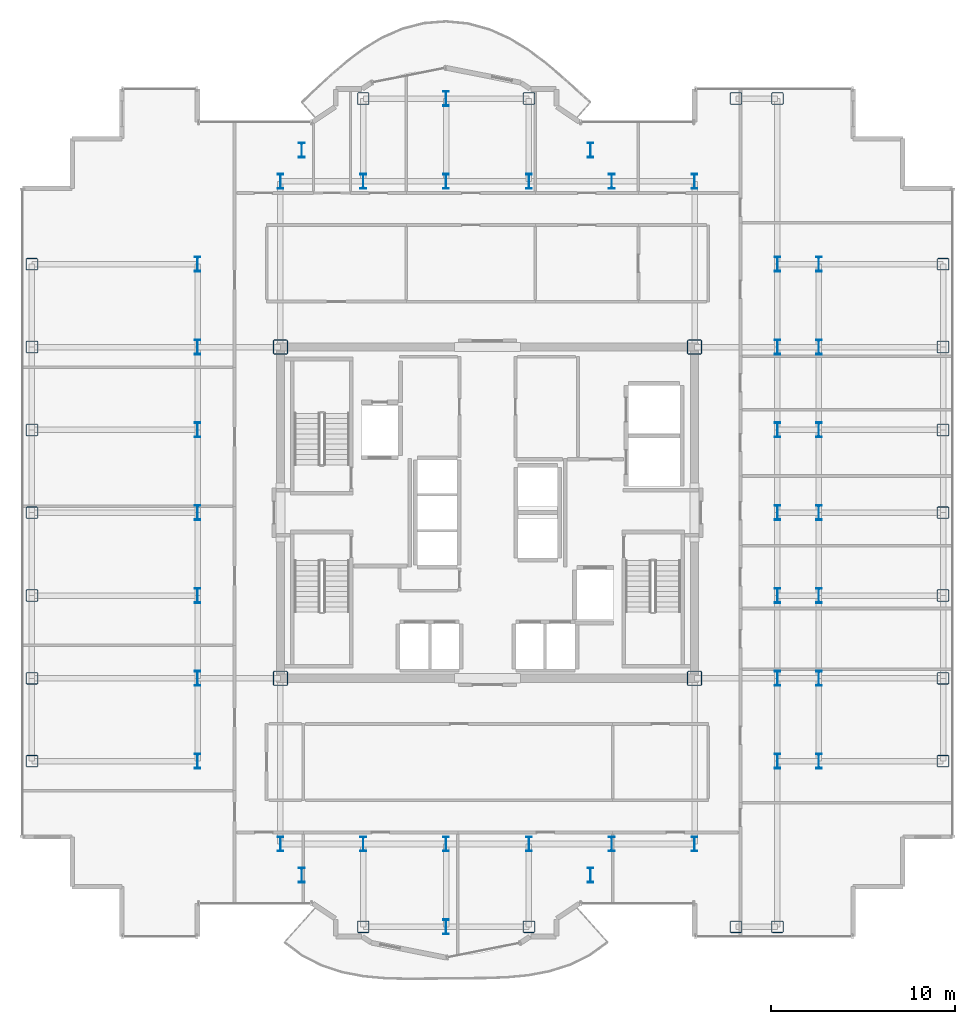
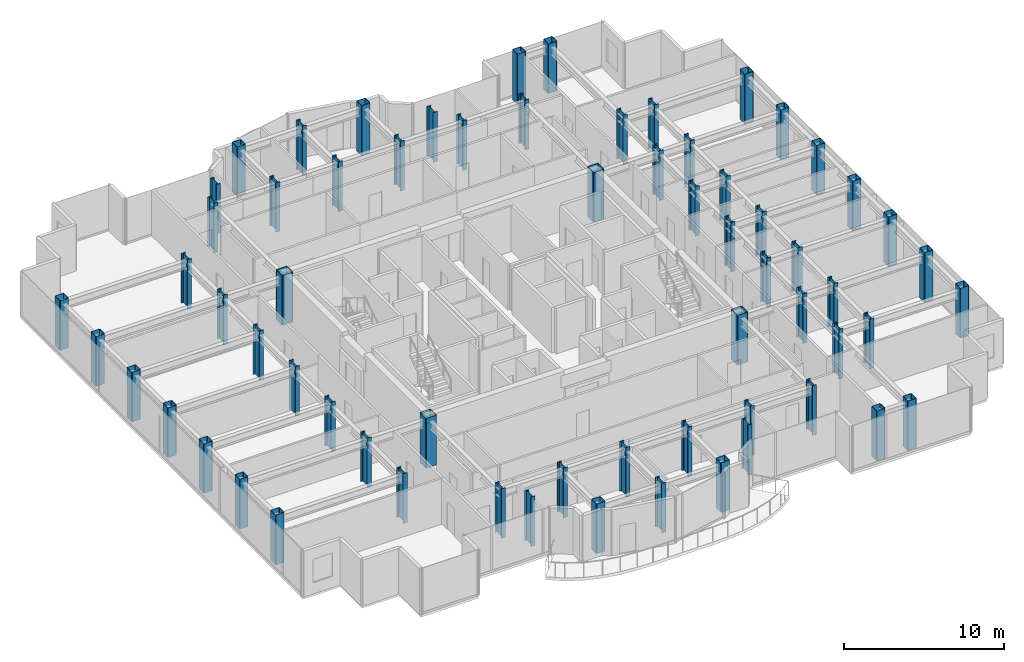
# One storey, part 1 of 21: 65 columns.
"""IFC4 building model written with IfcOpenShell, lengths in metres."""

from ifc_helpers import new_model, si_unit, direction, frame, origin, origin_2d, place, context, subcontext, project, spatial, hollow_rectangle, i_section, extrude, source, transform, mapped, material, material_profile, profile_set, type_object, element, save


model = new_model("IFC4")

# Units and contexts
model_context = context("Model", 3, precision=1e-05, world=origin(), true_north=direction((0.0, 1.0)))
body_context = subcontext(model_context, "Body", "Model", "MODEL_VIEW")
ifc_project = project(units=[si_unit("LENGTHUNIT", "METRE"), si_unit("AREAUNIT", "SQUARE_METRE"), si_unit("VOLUMEUNIT", "CUBIC_METRE"), si_unit("PLANEANGLEUNIT", "RADIAN"), si_unit("MASSUNIT", "GRAM", prefix="KILO")], contexts=[model_context])

# Site, building, storey
site_placement = place(None, origin())
site = spatial("IfcSite", under=ifc_project, at=site_placement, CompositionType="ELEMENT")
building_placement = place(site_placement, origin())
building = spatial("IfcBuilding", under=site, at=building_placement, Name="Nefas-Gora Pilgrimage Tower", CompositionType="ELEMENT")
storey_placement = place(building_placement, frame((0.0, 0.0, 256.0)))
storey = spatial("IfcBuildingStorey", under=building, at=storey_placement, Name="L64", CompositionType="ELEMENT", Elevation=256.0)

# Columns
ifc_material = material(Name="Steel S460", Category="steel")
ifc_material_profile_1 = material_profile(ifc_material, i_section(OverallWidth=0.302978515625, OverallDepth=0.81396484375, WebThickness=0.02099609375, FlangeThickness=0.0400390625, FilletRadius=0.030029296875, at=origin_2d()), Name="HEM 800")
ifc_profile_set_1 = profile_set([ifc_material_profile_1], Name="Steel S460")
column_type_1 = type_object("IfcColumnType", Name="COL-WEB-HEM800", PredefinedType="COLUMN", material=ifc_profile_set_1)
shared_shape_1 = source(origin(), body_context, "Body", "SweptSolid", [
    extrude(i_section(OverallWidth=0.302978515625, OverallDepth=0.81396484375, WebThickness=0.02099609375, FlangeThickness=0.0400390625, FilletRadius=0.030029296875, at=origin_2d()), origin(), (0.0, 0.0, 1.0), 3.800048828125),
])
for number, where, z_axis, x_axis, name in (
    (1, (-15.75, -13.5, 0.0), (0.0, 0.0, 1.0), (1.0, 0.0, 0.0), "L64 Tower Column CW-02.8"),
    (2, (-15.75, -9.0, 0.0), (0.0, 0.0, 1.0), (1.0, 0.0, 0.0), "L64 Tower Column CW-02.9"),
    (3, (-15.75, -4.5, 0.0), (0.0, 0.0, 1.0), (1.0, 0.0, 0.0), "L64 Tower Column CW-02.10"),
    (4, (-15.75, 0.0, 0.0), (0.0, 0.0, 1.0), (1.0, 0.0, 0.0), "L64 Tower Column CW-02.11"),
    (5, (-15.75, 4.5, 0.0), (0.0, 0.0, 1.0), (1.0, 0.0, 0.0), "L64 Tower Column CW-02.12"),
    (6, (-15.75, 9.0, 0.0), (0.0, 0.0, 1.0), (1.0, 0.0, 0.0), "L64 Tower Column CW-02.13"),
    (7, (-15.75, 13.5, 0.0), (0.0, 0.0, 1.0), (1.0, 0.0, 0.0), "L64 Tower Column CW-02.14"),
    (8, (-11.25, -18.0, 0.0), (0.0, 0.0, 1.0), (1.0, 0.0, 0.0), "L64 Tower Column CW-02.15"),
    (9, (-11.25, 18.0, 0.0), (0.0, 0.0, 1.0), (1.0, 0.0, 0.0), "L64 Tower Column CW-02.18"),
    (10, (-10.091064453125, -19.696044921875, 0.0), (0.0, 0.0, 1.0), (1.0, 0.0, 0.0), "L64 Tower Column CW-02.19"),
    (11, (-10.091064453125, 19.696044921875, 0.0), (0.0, 0.0, 1.0), (1.0, 0.0, 0.0), "L64 Tower Column CW-02.20"),
    (12, (-6.75, -18.0, 0.0), (0.0, 0.0, 1.0), (1.0, 0.0, 0.0), "L64 Tower Column CW-02.22"),
    (13, (-6.75, 18.0, 0.0), (0.0, 0.0, 1.0), (1.0, 0.0, 0.0), "L64 Tower Column CW-02.23"),
    (14, (-2.25, -22.5, 0.0), (0.0, 0.0, 1.0), (1.0, 0.0, 0.0), "L64 Tower Column CW-02.25"),
    (15, (-2.25, -18.0, 0.0), (0.0, 0.0, 1.0), (1.0, 0.0, 0.0), "L64 Tower Column CW-02.26"),
    (16, (-2.25, 18.0, 0.0), (0.0, 0.0, 1.0), (1.0, 0.0, 0.0), "L64 Tower Column CW-02.27"),
    (17, (-2.25, 22.5, 0.0), (0.0, 0.0, 1.0), (1.0, 0.0, 0.0), "L64 Tower Column CW-02.28"),
    (18, (2.25, -18.0, 0.0), (0.0, 0.0, 1.0), (1.0, 0.0, 0.0), "L64 Tower Column CW-02.30"),
    (19, (2.25, 18.0, 0.0), (0.0, 0.0, 1.0), (1.0, 0.0, 0.0), "L64 Tower Column CW-02.31"),
    (20, (5.591064453125, -19.696044921875, 0.0), (0.0, 0.0, 1.0), (1.0, 0.0, 0.0), "L64 Tower Column CW-02.33"),
    (21, (5.591064453125, 19.696044921875, 0.0), (0.0, 0.0, 1.0), (1.0, 0.0, 0.0), "L64 Tower Column CW-02.34"),
    (22, (6.75, -18.0, 0.0), (0.0, 0.0, 1.0), (1.0, 0.0, 0.0), "L64 Tower Column CW-02.35"),
    (23, (6.75, 18.0, 0.0), (0.0, 0.0, 1.0), (1.0, 0.0, 0.0), "L64 Tower Column CW-02.36"),
    (24, (11.25, -18.0, 0.0), (0.0, 0.0, 1.0), (1.0, 0.0, 0.0), "L64 Tower Column CW-02.37"),
    (25, (11.25, 18.0, 0.0), (0.0, 0.0, 1.0), (1.0, 0.0, 0.0), "L64 Tower Column CW-02.40"),
    (26, (15.75, -13.5, 0.0), (0.0, 0.0, 1.0), (1.0, 0.0, 0.0), "L64 Tower Column CW-02.44"),
    (27, (15.75, -9.0, 0.0), (0.0, 0.0, 1.0), (1.0, 0.0, 0.0), "L64 Tower Column CW-02.45"),
    (28, (15.75, -4.5, 0.0), (0.0, 0.0, 1.0), (1.0, 0.0, 0.0), "L64 Tower Column CW-02.46"),
    (29, (15.75, 0.0, 0.0), (0.0, 0.0, 1.0), (1.0, 0.0, 0.0), "L64 Tower Column CW-02.47"),
    (30, (15.75, 4.5, 0.0), (0.0, 0.0, 1.0), (1.0, 0.0, 0.0), "L64 Tower Column CW-02.48"),
    (31, (15.75, 9.0, 0.0), (0.0, 0.0, 1.0), (1.0, 0.0, 0.0), "L64 Tower Column CW-02.49"),
    (32, (15.75, 13.5, 0.0), (0.0, 0.0, 1.0), (1.0, 0.0, 0.0), "L64 Tower Column CW-02.50"),
    (33, (18.0, -13.5, 0.0), (0.0, 0.0, 1.0), (1.0, 0.0, 0.0), "L64 Tower Column CW-02.52"),
    (34, (18.0, -9.0, 0.0), (0.0, 0.0, 1.0), (1.0, 0.0, 0.0), "L64 Tower Column CW-02.53"),
    (35, (18.0, -4.5, 0.0), (0.0, 0.0, 1.0), (1.0, 0.0, 0.0), "L64 Tower Column CW-02.54"),
    (36, (18.0, 0.0, 0.0), (0.0, 0.0, 1.0), (1.0, 0.0, 0.0), "L64 Tower Column CW-02.55"),
    (37, (18.0, 4.5, 0.0), (0.0, 0.0, 1.0), (1.0, 0.0, 0.0), "L64 Tower Column CW-02.56"),
    (38, (18.0, 9.0, 0.0), (0.0, 0.0, 1.0), (1.0, 0.0, 0.0), "L64 Tower Column CW-02.57"),
    (39, (18.0, 13.5, 0.0), (0.0, 0.0, 1.0), (1.0, 0.0, 0.0), "L64 Tower Column CW-02.58"),
):
    element("IfcColumn", number, at=place(storey_placement, frame(where, z_axis=z_axis, x_axis=x_axis)), inside=storey, type_object=column_type_1, Name=name, PredefinedType="COLUMN", context=body_context, shape_type="MappedRepresentation", body=[
        mapped(shared_shape_1, transform((0.0, 0.0, 0.0), x_axis=(1.0, 0.0, 0.0), y_axis=(0.0, 1.0, 0.0), z_axis=(0.0, 0.0, 1.0), scale=1.0)),
    ])
ifc_material_profile_2 = material_profile(ifc_material, hollow_rectangle(XDim=0.800048828125, YDim=0.800048828125, WallThickness=0.0400390625, InnerFilletRadius=0.0400390625, OuterFilletRadius=0.080078125, at=origin_2d()), Name="BOX 800x800x40")
ifc_profile_set_2 = profile_set([ifc_material_profile_2], Name="Steel S460")
column_type_2 = type_object("IfcColumnType", Name="COL-CORE-800", PredefinedType="COLUMN", material=ifc_profile_set_2)
shared_shape_2 = source(origin(), body_context, "Body", "SweptSolid", [
    extrude(hollow_rectangle(XDim=0.800048828125, YDim=0.800048828125, WallThickness=0.0400390625, InnerFilletRadius=0.0400390625, OuterFilletRadius=0.080078125, at=origin_2d()), origin(), (0.0, 0.0, 1.0), 3.800048828125),
])
for number, where, z_axis, x_axis, name in (
    (40, (-11.25, -9.0, 0.0), (0.0, 0.0, 1.0), (1.0, 0.0, 0.0), "L64 Tower Column CC-Z2.16"),
    (41, (-11.25, 9.0, 0.0), (0.0, 0.0, 1.0), (1.0, 0.0, 0.0), "L64 Tower Column CC-Z2.17"),
    (42, (11.25, -9.0, 0.0), (0.0, 0.0, 1.0), (1.0, 0.0, 0.0), "L64 Tower Column CC-Z2.38"),
    (43, (11.25, 9.0, 0.0), (0.0, 0.0, 1.0), (1.0, 0.0, 0.0), "L64 Tower Column CC-Z2.39"),
):
    element("IfcColumn", number, at=place(storey_placement, frame(where, z_axis=z_axis, x_axis=x_axis)), inside=storey, type_object=column_type_2, Name=name, PredefinedType="COLUMN", context=body_context, shape_type="MappedRepresentation", body=[
        mapped(shared_shape_2, transform((0.0, 0.0, 0.0), x_axis=(1.0, 0.0, 0.0), y_axis=(0.0, 1.0, 0.0), z_axis=(0.0, 0.0, 1.0), scale=1.0)),
    ])
ifc_material_profile_3 = material_profile(ifc_material, hollow_rectangle(XDim=0.64990234375, YDim=0.64990234375, WallThickness=0.031982421875, InnerFilletRadius=0.031982421875, OuterFilletRadius=0.06396484375, at=origin_2d()), Name="BOX 650x650x32")
ifc_profile_set_3 = profile_set([ifc_material_profile_3], Name="Steel S460")
column_type_3 = type_object("IfcColumnType", Name="COL-TUBE-650", PredefinedType="COLUMN", material=ifc_profile_set_3)
shared_shape_3 = source(origin(), body_context, "Body", "SweptSolid", [
    extrude(hollow_rectangle(XDim=0.64990234375, YDim=0.64990234375, WallThickness=0.031982421875, InnerFilletRadius=0.031982421875, OuterFilletRadius=0.06396484375, at=origin_2d()), origin(), (0.0, 0.0, 1.0), 3.800048828125),
])
for number, where, z_axis, x_axis, name in (
    (44, (-24.75, -13.5, 0.0), (0.0, 0.0, 1.0), (1.0, 0.0, 0.0), "L64 Tower Column C-Z3.1"),
    (45, (-24.75, -9.0, 0.0), (0.0, 0.0, 1.0), (1.0, 0.0, 0.0), "L64 Tower Column C-Z3.2"),
    (46, (-24.75, -4.5, 0.0), (0.0, 0.0, 1.0), (1.0, 0.0, 0.0), "L64 Tower Column C-Z3.3"),
    (47, (-24.75, 0.0, 0.0), (0.0, 0.0, 1.0), (1.0, 0.0, 0.0), "L64 Tower Column C-Z3.4"),
    (48, (-24.75, 4.5, 0.0), (0.0, 0.0, 1.0), (1.0, 0.0, 0.0), "L64 Tower Column C-Z3.5"),
    (49, (-24.75, 9.0, 0.0), (0.0, 0.0, 1.0), (1.0, 0.0, 0.0), "L64 Tower Column C-Z3.6"),
    (50, (-24.75, 13.5, 0.0), (0.0, 0.0, 1.0), (1.0, 0.0, 0.0), "L64 Tower Column C-Z3.7"),
    (51, (-6.75, -22.5, 0.0), (0.0, 0.0, 1.0), (1.0, 0.0, 0.0), "L64 Tower Column C-Z3.21"),
    (52, (-6.75, 22.5, 0.0), (0.0, 0.0, 1.0), (1.0, 0.0, 0.0), "L64 Tower Column C-Z3.24"),
    (53, (2.25, -22.5, 0.0), (0.0, 0.0, 1.0), (1.0, 0.0, 0.0), "L64 Tower Column C-Z3.29"),
    (54, (2.25, 22.5, 0.0), (0.0, 0.0, 1.0), (1.0, 0.0, 0.0), "L64 Tower Column C-Z3.32"),
    (55, (13.5, -22.5, 0.0), (0.0, 0.0, 1.0), (1.0, 0.0, 0.0), "L64 Tower Column C-Z3.41"),
    (56, (13.5, 22.5, 0.0), (0.0, 0.0, 1.0), (1.0, 0.0, 0.0), "L64 Tower Column C-Z3.42"),
    (57, (15.75, -22.5, 0.0), (0.0, 0.0, 1.0), (1.0, 0.0, 0.0), "L64 Tower Column C-Z3.43"),
    (58, (15.75, 22.5, 0.0), (0.0, 0.0, 1.0), (1.0, 0.0, 0.0), "L64 Tower Column C-Z3.51"),
    (59, (24.75, -13.5, 0.0), (0.0, 0.0, 1.0), (1.0, 0.0, 0.0), "L64 Tower Column C-Z3.59"),
    (60, (24.75, -9.0, 0.0), (0.0, 0.0, 1.0), (1.0, 0.0, 0.0), "L64 Tower Column C-Z3.60"),
    (61, (24.75, -4.5, 0.0), (0.0, 0.0, 1.0), (1.0, 0.0, 0.0), "L64 Tower Column C-Z3.61"),
    (62, (24.75, 0.0, 0.0), (0.0, 0.0, 1.0), (1.0, 0.0, 0.0), "L64 Tower Column C-Z3.62"),
    (63, (24.75, 4.5, 0.0), (0.0, 0.0, 1.0), (1.0, 0.0, 0.0), "L64 Tower Column C-Z3.63"),
    (64, (24.75, 9.0, 0.0), (0.0, 0.0, 1.0), (1.0, 0.0, 0.0), "L64 Tower Column C-Z3.64"),
    (65, (24.75, 13.5, 0.0), (0.0, 0.0, 1.0), (1.0, 0.0, 0.0), "L64 Tower Column C-Z3.65"),
):
    element("IfcColumn", number, at=place(storey_placement, frame(where, z_axis=z_axis, x_axis=x_axis)), inside=storey, type_object=column_type_3, Name=name, PredefinedType="COLUMN", context=body_context, shape_type="MappedRepresentation", body=[
        mapped(shared_shape_3, transform((0.0, 0.0, 0.0), x_axis=(1.0, 0.0, 0.0), y_axis=(0.0, 1.0, 0.0), z_axis=(0.0, 0.0, 1.0), scale=1.0)),
    ])

save(model, "model.ifc")
